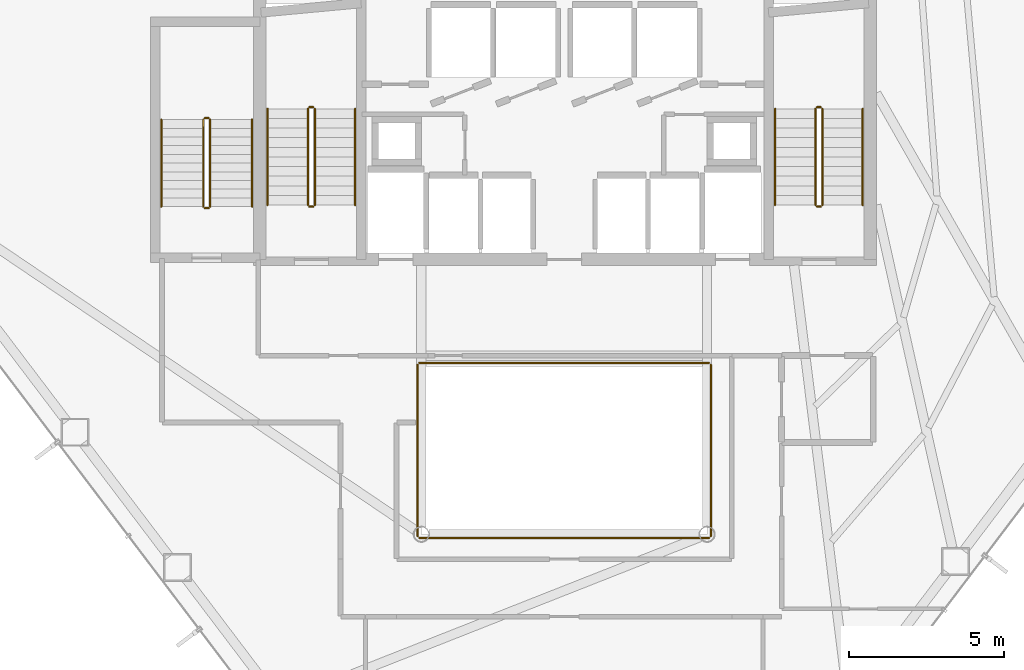
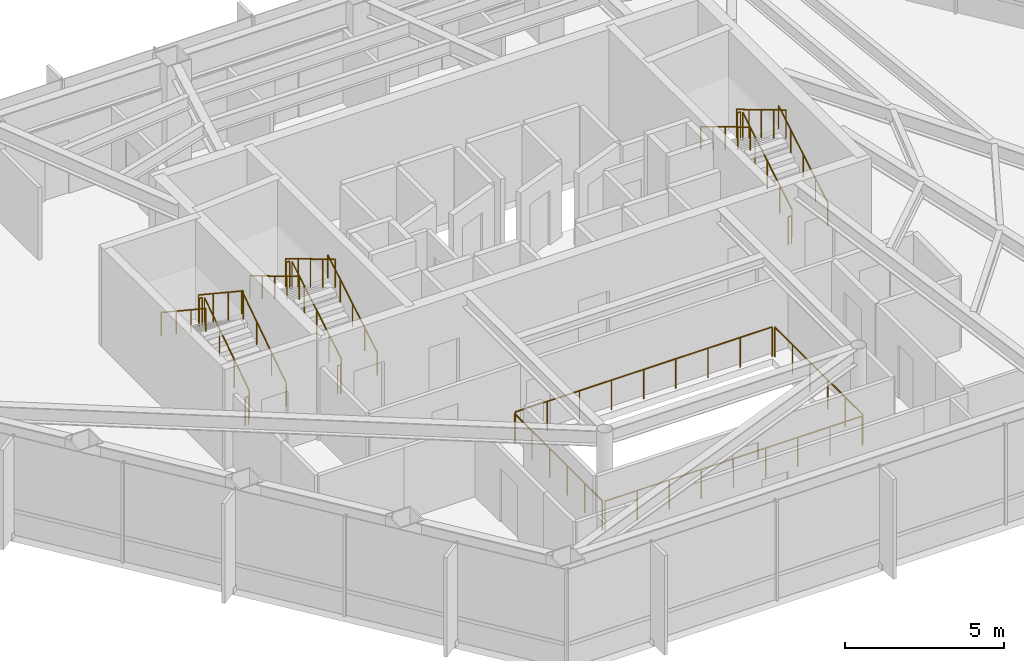
# One storey, part 24 of 24: 22 railings.
"""IFC4 building model written with IfcOpenShell, lengths in metres."""

from ifc_helpers import new_model, si_unit, direction, frame, origin, origin_2d, place, context, subcontext, project, spatial, circle, extrude, material, type_object, element, save


model = new_model("IFC4")

# Units and contexts
model_context = context("Model", 3, precision=1e-05, world=origin(), true_north=direction((0.0, 1.0)))
body_context = subcontext(model_context, "Body", "Model", "MODEL_VIEW")
ifc_project = project(units=[si_unit("LENGTHUNIT", "METRE"), si_unit("AREAUNIT", "SQUARE_METRE"), si_unit("VOLUMEUNIT", "CUBIC_METRE"), si_unit("PLANEANGLEUNIT", "RADIAN"), si_unit("MASSUNIT", "GRAM", prefix="KILO")], contexts=[model_context])

# Site, building, storey
site_placement = place(None, origin())
site = spatial("IfcSite", under=ifc_project, at=site_placement, CompositionType="ELEMENT")
building_placement = place(site_placement, origin())
building = spatial("IfcBuilding", under=site, at=building_placement, Name="Zarrinselat Tower", CompositionType="ELEMENT")
storey_placement = place(building_placement, frame((0.0, 0.0, 96.89990234375)))
storey = spatial("IfcBuildingStorey", under=building, at=storey_placement, Name="L23", CompositionType="ELEMENT", Elevation=96.89990234375)

# Railings
ifc_material_1 = material(Name="Double Low-E Laminated Solar Glass", Category="glass")
railing_type_1 = type_object("IfcRailingType", Name="RLG-ATRIUM-BAL", PredefinedType="BALUSTRADE", material=ifc_material_1)
railing_1_placement = place(storey_placement, frame((33.739990234375, 24.280029296875, 0.0)))
element("IfcRailing", 1, at=railing_1_placement, inside=storey, type_object=railing_type_1, Name="L23 Atrium Void Glass Balustrade S", PredefinedType="BALUSTRADE", context=body_context, shape_type="SweptSolid", body=[
    extrude(circle(Radius=0.02392578125, at=origin_2d()), frame((0.0, 0.0, 1.1259765625), z_axis=(1.0, 0.0, 0.0), x_axis=(0.0, 1.0, 0.0)), (0.0, 0.0, 1.0), 9.320068359375),
    extrude(circle(Radius=0.02099609375, at=origin_2d()), origin(), (0.0, 0.0, 1.0), 1.099853515625),
    extrude(circle(Radius=0.02099609375, at=origin_2d()), frame((1.1650390625, 0.0, 0.0)), (0.0, 0.0, 1.0), 1.099853515625),
    extrude(circle(Radius=0.02099609375, at=origin_2d()), frame((2.330078125, 0.0, 0.0)), (0.0, 0.0, 1.0), 1.099853515625),
    extrude(circle(Radius=0.02099609375, at=origin_2d()), frame((3.4951171875, 0.0, 0.0)), (0.0, 0.0, 1.0), 1.099853515625),
    extrude(circle(Radius=0.02099609375, at=origin_2d()), frame((4.66015625, 0.0, 0.0)), (0.0, 0.0, 1.0), 1.099853515625),
    extrude(circle(Radius=0.02099609375, at=origin_2d()), frame((5.824951171875, 0.0, 0.0)), (0.0, 0.0, 1.0), 1.099853515625),
    extrude(circle(Radius=0.02099609375, at=origin_2d()), frame((6.989990234375, 0.0, 0.0)), (0.0, 0.0, 1.0), 1.099853515625),
    extrude(circle(Radius=0.02099609375, at=origin_2d()), frame((8.155029296875, 0.0, 0.0)), (0.0, 0.0, 1.0), 1.099853515625),
    extrude(circle(Radius=0.02099609375, at=origin_2d()), frame((9.320068359375, 0.0, 0.0)), (0.0, 0.0, 1.0), 1.099853515625),
])
railing_2_placement = place(storey_placement, frame((43.1201171875, 24.340087890625, 0.0)))
element("IfcRailing", 2, at=railing_2_placement, inside=storey, type_object=railing_type_1, Name="L23 Atrium Void Glass Balustrade E", PredefinedType="BALUSTRADE", context=body_context, shape_type="SweptSolid", body=[
    extrude(circle(Radius=0.02392578125, at=origin_2d()), frame((0.0, 0.0, 1.1259765625), z_axis=(0.0, 1.0, 0.0), x_axis=(-1.0, 0.0, 0.0)), (0.0, 0.0, 1.0), 5.52001953125),
    extrude(circle(Radius=0.02099609375, at=origin_2d()), origin(), (0.0, 0.0, 1.0), 1.099853515625),
    extrude(circle(Radius=0.02099609375, at=origin_2d()), frame((0.0, 1.10400390625, 0.0)), (0.0, 0.0, 1.0), 1.099853515625),
    extrude(circle(Radius=0.02099609375, at=origin_2d()), frame((0.0, 2.2080078125, 0.0)), (0.0, 0.0, 1.0), 1.099853515625),
    extrude(circle(Radius=0.02099609375, at=origin_2d()), frame((0.0, 3.31201171875, 0.0)), (0.0, 0.0, 1.0), 1.099853515625),
    extrude(circle(Radius=0.02099609375, at=origin_2d()), frame((0.0, 4.416015625, 0.0)), (0.0, 0.0, 1.0), 1.099853515625),
    extrude(circle(Radius=0.02099609375, at=origin_2d()), frame((0.0, 5.52001953125, 0.0)), (0.0, 0.0, 1.0), 1.099853515625),
])
railing_3_placement = place(storey_placement, frame((43.06005859375, 29.919921875, 0.0)))
element("IfcRailing", 3, at=railing_3_placement, inside=storey, type_object=railing_type_1, Name="L23 Atrium Void Glass Balustrade N", PredefinedType="BALUSTRADE", context=body_context, shape_type="SweptSolid", body=[
    extrude(circle(Radius=0.02392578125, at=origin_2d()), frame((0.0, 0.0, 1.1259765625), z_axis=(-1.0, 0.0, 0.0), x_axis=(0.0, -1.0, 0.0)), (0.0, 0.0, 1.0), 9.320068359375),
    extrude(circle(Radius=0.02099609375, at=origin_2d()), origin(), (0.0, 0.0, 1.0), 1.099853515625),
    extrude(circle(Radius=0.02099609375, at=origin_2d()), frame((-1.1650390625, 0.0, 0.0)), (0.0, 0.0, 1.0), 1.099853515625),
    extrude(circle(Radius=0.02099609375, at=origin_2d()), frame((-2.330078125, 0.0, 0.0)), (0.0, 0.0, 1.0), 1.099853515625),
    extrude(circle(Radius=0.02099609375, at=origin_2d()), frame((-3.4951171875, 0.0, 0.0)), (0.0, 0.0, 1.0), 1.099853515625),
    extrude(circle(Radius=0.02099609375, at=origin_2d()), frame((-4.66015625, 0.0, 0.0)), (0.0, 0.0, 1.0), 1.099853515625),
    extrude(circle(Radius=0.02099609375, at=origin_2d()), frame((-5.824951171875, 0.0, 0.0)), (0.0, 0.0, 1.0), 1.099853515625),
    extrude(circle(Radius=0.02099609375, at=origin_2d()), frame((-6.989990234375, 0.0, 0.0)), (0.0, 0.0, 1.0), 1.099853515625),
    extrude(circle(Radius=0.02099609375, at=origin_2d()), frame((-8.155029296875, 0.0, 0.0)), (0.0, 0.0, 1.0), 1.099853515625),
    extrude(circle(Radius=0.02099609375, at=origin_2d()), frame((-9.320068359375, 0.0, 0.0)), (0.0, 0.0, 1.0), 1.099853515625),
])
railing_4_placement = place(storey_placement, frame((33.679931640625, 29.860107421875, 0.0)))
element("IfcRailing", 4, at=railing_4_placement, inside=storey, type_object=railing_type_1, Name="L23 Atrium Void Glass Balustrade W", PredefinedType="BALUSTRADE", context=body_context, shape_type="SweptSolid", body=[
    extrude(circle(Radius=0.02392578125, at=origin_2d()), frame((0.0, 0.0, 1.1259765625), z_axis=(0.0, -1.0, 0.0), x_axis=(1.0, 0.0, 0.0)), (0.0, 0.0, 1.0), 5.52001953125),
    extrude(circle(Radius=0.02099609375, at=origin_2d()), origin(), (0.0, 0.0, 1.0), 1.099853515625),
    extrude(circle(Radius=0.02099609375, at=origin_2d()), frame((0.0, -1.10400390625, 0.0)), (0.0, 0.0, 1.0), 1.099853515625),
    extrude(circle(Radius=0.02099609375, at=origin_2d()), frame((0.0, -2.2080078125, 0.0)), (0.0, 0.0, 1.0), 1.099853515625),
    extrude(circle(Radius=0.02099609375, at=origin_2d()), frame((0.0, -3.31201171875, 0.0)), (0.0, 0.0, 1.0), 1.099853515625),
    extrude(circle(Radius=0.02099609375, at=origin_2d()), frame((0.0, -4.416015625, 0.0)), (0.0, 0.0, 1.0), 1.099853515625),
    extrude(circle(Radius=0.02099609375, at=origin_2d()), frame((0.0, -5.52001953125, 0.0)), (0.0, 0.0, 1.0), 1.099853515625),
])
ifc_material_2 = material(Name="Steel S355J2", Category="steel")
railing_type_2 = type_object("IfcRailingType", Name="RLG-STAIR-GUARD", PredefinedType="GUARDRAIL", material=ifc_material_2)
railing_5_placement = place(storey_placement, frame((30.3701171875, 35.0, 0.185546875)))
element("IfcRailing", 5, at=railing_5_placement, inside=storey, type_object=railing_type_2, Name="L23 ST-1 stair guard 1", PredefinedType="GUARDRAIL", context=body_context, shape_type="SweptSolid", body=[
    extrude(circle(Radius=0.02392578125, at=origin_2d()), frame((0.0, 0.0, 1.076171875), z_axis=(0.0, 0.858171985069, 0.513362293163), x_axis=(-1.0, 0.0, 0.0)), (0.0, 0.0, 1.0), 3.612548828125),
    extrude(circle(Radius=0.02099609375, at=origin_2d()), origin(), (0.0, 0.0, 1.0), 1.050048828125),
    extrude(circle(Radius=0.02099609375, at=origin_2d()), frame((0.0, 0.77490234375, 0.463623046875)), (0.0, 0.0, 1.0), 1.050048828125),
    extrude(circle(Radius=0.02099609375, at=origin_2d()), frame((0.0, 1.550048828125, 0.92724609375)), (0.0, 0.0, 1.0), 1.050048828125),
    extrude(circle(Radius=0.02099609375, at=origin_2d()), frame((0.0, 2.3251953125, 1.390869140625)), (0.0, 0.0, 1.0), 1.050048828125),
    extrude(circle(Radius=0.02099609375, at=origin_2d()), frame((0.0, 3.10009765625, 1.8544921875)), (0.0, 0.0, 1.0), 1.050048828125),
])
railing_6_placement = place(storey_placement, frame((30.320068359375, 38.14990234375, 2.0400390625)))
element("IfcRailing", 6, at=railing_6_placement, inside=storey, type_object=railing_type_2, Name="L23 ST-1 stair guard 2", PredefinedType="GUARDRAIL", context=body_context, shape_type="SweptSolid", body=[
    extrude(circle(Radius=0.02392578125, at=origin_2d()), frame((0.0, 0.0, 1.076171875), z_axis=(-1.0, 0.0, 0.0), x_axis=(0.0, -1.0, 0.0)), (0.0, 0.0, 1.0), 0.1201171875),
    extrude(circle(Radius=0.02099609375, at=origin_2d()), origin(), (0.0, 0.0, 1.0), 1.050048828125),
    extrude(circle(Radius=0.02099609375, at=origin_2d()), frame((-0.1201171875, 0.0, 0.0)), (0.0, 0.0, 1.0), 1.050048828125),
])
railing_7_placement = place(storey_placement, frame((30.14990234375, 38.10009765625, 2.2255859375)))
element("IfcRailing", 7, at=railing_7_placement, inside=storey, type_object=railing_type_2, Name="L23 ST-1 stair guard 3", PredefinedType="GUARDRAIL", context=body_context, shape_type="SweptSolid", body=[
    extrude(circle(Radius=0.02392578125, at=origin_2d()), frame((0.0, 0.0, 1.076171875), z_axis=(0.0, -0.858171985069, 0.513362293163), x_axis=(1.0, 0.0, 0.0)), (0.0, 0.0, 1.0), 3.612548828125),
    extrude(circle(Radius=0.02099609375, at=origin_2d()), origin(), (0.0, 0.0, 1.0), 1.050048828125),
    extrude(circle(Radius=0.02099609375, at=origin_2d()), frame((0.0, -0.77490234375, 0.463623046875)), (0.0, 0.0, 1.0), 1.050048828125),
    extrude(circle(Radius=0.02099609375, at=origin_2d()), frame((0.0, -1.550048828125, 0.92724609375)), (0.0, 0.0, 1.0), 1.050048828125),
    extrude(circle(Radius=0.02099609375, at=origin_2d()), frame((0.0, -2.3251953125, 1.390869140625)), (0.0, 0.0, 1.0), 1.050048828125),
    extrude(circle(Radius=0.02099609375, at=origin_2d()), frame((0.0, -3.10009765625, 1.8544921875)), (0.0, 0.0, 1.0), 1.050048828125),
])
railing_8_placement = place(storey_placement, frame((30.320068359375, 34.949951171875, 0.0)))
element("IfcRailing", 8, at=railing_8_placement, inside=storey, type_object=railing_type_2, Name="L23 ST-1 stair guard 4", PredefinedType="GUARDRAIL", context=body_context, shape_type="SweptSolid", body=[
    extrude(circle(Radius=0.02392578125, at=origin_2d()), frame((0.0, 0.0, 1.076171875), z_axis=(-1.0, 0.0, 0.0), x_axis=(0.0, -1.0, 0.0)), (0.0, 0.0, 1.0), 0.1201171875),
    extrude(circle(Radius=0.02099609375, at=origin_2d()), origin(), (0.0, 0.0, 1.0), 1.050048828125),
    extrude(circle(Radius=0.02099609375, at=origin_2d()), frame((-0.1201171875, 0.0, 0.0)), (0.0, 0.0, 1.0), 1.050048828125),
])
railing_9_placement = place(storey_placement, frame((46.7099609375, 35.0, 0.185546875)))
element("IfcRailing", 9, at=railing_9_placement, inside=storey, type_object=railing_type_2, Name="L23 ST-2 stair guard 1", PredefinedType="GUARDRAIL", context=body_context, shape_type="SweptSolid", body=[
    extrude(circle(Radius=0.02392578125, at=origin_2d()), frame((0.0, 0.0, 1.076171875), z_axis=(0.0, 0.858171985069, 0.513362293163), x_axis=(-1.0, 0.0, 0.0)), (0.0, 0.0, 1.0), 3.612548828125),
    extrude(circle(Radius=0.02099609375, at=origin_2d()), origin(), (0.0, 0.0, 1.0), 1.050048828125),
    extrude(circle(Radius=0.02099609375, at=origin_2d()), frame((0.0, 0.77490234375, 0.463623046875)), (0.0, 0.0, 1.0), 1.050048828125),
    extrude(circle(Radius=0.02099609375, at=origin_2d()), frame((0.0, 1.550048828125, 0.92724609375)), (0.0, 0.0, 1.0), 1.050048828125),
    extrude(circle(Radius=0.02099609375, at=origin_2d()), frame((0.0, 2.3251953125, 1.390869140625)), (0.0, 0.0, 1.0), 1.050048828125),
    extrude(circle(Radius=0.02099609375, at=origin_2d()), frame((0.0, 3.10009765625, 1.8544921875)), (0.0, 0.0, 1.0), 1.050048828125),
])
railing_10_placement = place(storey_placement, frame((46.659912109375, 38.14990234375, 2.0400390625)))
element("IfcRailing", 10, at=railing_10_placement, inside=storey, type_object=railing_type_2, Name="L23 ST-2 stair guard 2", PredefinedType="GUARDRAIL", context=body_context, shape_type="SweptSolid", body=[
    extrude(circle(Radius=0.02392578125, at=origin_2d()), frame((0.0, 0.0, 1.076171875), z_axis=(-1.0, 0.0, 0.0), x_axis=(0.0, -1.0, 0.0)), (0.0, 0.0, 1.0), 0.119873046875),
    extrude(circle(Radius=0.02099609375, at=origin_2d()), origin(), (0.0, 0.0, 1.0), 1.050048828125),
    extrude(circle(Radius=0.02099609375, at=origin_2d()), frame((-0.119873046875, 0.0, 0.0)), (0.0, 0.0, 1.0), 1.050048828125),
])
railing_11_placement = place(storey_placement, frame((46.489990234375, 38.10009765625, 2.2255859375)))
element("IfcRailing", 11, at=railing_11_placement, inside=storey, type_object=railing_type_2, Name="L23 ST-2 stair guard 3", PredefinedType="GUARDRAIL", context=body_context, shape_type="SweptSolid", body=[
    extrude(circle(Radius=0.02392578125, at=origin_2d()), frame((0.0, 0.0, 1.076171875), z_axis=(0.0, -0.858171985069, 0.513362293163), x_axis=(1.0, 0.0, 0.0)), (0.0, 0.0, 1.0), 3.612548828125),
    extrude(circle(Radius=0.02099609375, at=origin_2d()), origin(), (0.0, 0.0, 1.0), 1.050048828125),
    extrude(circle(Radius=0.02099609375, at=origin_2d()), frame((0.0, -0.77490234375, 0.463623046875)), (0.0, 0.0, 1.0), 1.050048828125),
    extrude(circle(Radius=0.02099609375, at=origin_2d()), frame((0.0, -1.550048828125, 0.92724609375)), (0.0, 0.0, 1.0), 1.050048828125),
    extrude(circle(Radius=0.02099609375, at=origin_2d()), frame((0.0, -2.3251953125, 1.390869140625)), (0.0, 0.0, 1.0), 1.050048828125),
    extrude(circle(Radius=0.02099609375, at=origin_2d()), frame((0.0, -3.10009765625, 1.8544921875)), (0.0, 0.0, 1.0), 1.050048828125),
])
railing_12_placement = place(storey_placement, frame((46.659912109375, 34.949951171875, 0.0)))
element("IfcRailing", 12, at=railing_12_placement, inside=storey, type_object=railing_type_2, Name="L23 ST-2 stair guard 4", PredefinedType="GUARDRAIL", context=body_context, shape_type="SweptSolid", body=[
    extrude(circle(Radius=0.02392578125, at=origin_2d()), frame((0.0, 0.0, 1.076171875), z_axis=(-1.0, 0.0, 0.0), x_axis=(0.0, -1.0, 0.0)), (0.0, 0.0, 1.0), 0.119873046875),
    extrude(circle(Radius=0.02099609375, at=origin_2d()), origin(), (0.0, 0.0, 1.0), 1.050048828125),
    extrude(circle(Radius=0.02099609375, at=origin_2d()), frame((-0.119873046875, 0.0, 0.0)), (0.0, 0.0, 1.0), 1.050048828125),
])
railing_13_placement = place(storey_placement, frame((27.0, 34.949951171875, 0.185546875)))
element("IfcRailing", 13, at=railing_13_placement, inside=storey, type_object=railing_type_2, Name="L23 ST-3 stair guard 1", PredefinedType="GUARDRAIL", context=body_context, shape_type="SweptSolid", body=[
    extrude(circle(Radius=0.02392578125, at=origin_2d()), frame((0.0, 0.0, 1.076171875), z_axis=(0.0, 0.833724036255, 0.552181339209), x_axis=(-1.0, 0.0, 0.0)), (0.0, 0.0, 1.0), 3.3583984375),
    extrude(circle(Radius=0.02099609375, at=origin_2d()), origin(), (0.0, 0.0, 1.0), 1.050048828125),
    extrude(circle(Radius=0.02099609375, at=origin_2d()), frame((0.0, 0.933349609375, 0.6181640625)), (0.0, 0.0, 1.0), 1.050048828125),
    extrude(circle(Radius=0.02099609375, at=origin_2d()), frame((0.0, 1.86669921875, 1.236328125)), (0.0, 0.0, 1.0), 1.050048828125),
    extrude(circle(Radius=0.02099609375, at=origin_2d()), frame((0.0, 2.800048828125, 1.8544921875)), (0.0, 0.0, 1.0), 1.050048828125),
])
railing_14_placement = place(storey_placement, frame((26.949951171875, 37.800048828125, 2.0400390625)))
element("IfcRailing", 14, at=railing_14_placement, inside=storey, type_object=railing_type_2, Name="L23 ST-3 stair guard 2", PredefinedType="GUARDRAIL", context=body_context, shape_type="SweptSolid", body=[
    extrude(circle(Radius=0.02392578125, at=origin_2d()), frame((0.0, 0.0, 1.076171875), z_axis=(-1.0, 0.0, 0.0), x_axis=(0.0, -1.0, 0.0)), (0.0, 0.0, 1.0), 0.119873046875),
    extrude(circle(Radius=0.02099609375, at=origin_2d()), origin(), (0.0, 0.0, 1.0), 1.050048828125),
    extrude(circle(Radius=0.02099609375, at=origin_2d()), frame((-0.119873046875, 0.0, 0.0)), (0.0, 0.0, 1.0), 1.050048828125),
])
railing_15_placement = place(storey_placement, frame((26.780029296875, 37.75, 2.2255859375)))
element("IfcRailing", 15, at=railing_15_placement, inside=storey, type_object=railing_type_2, Name="L23 ST-3 stair guard 3", PredefinedType="GUARDRAIL", context=body_context, shape_type="SweptSolid", body=[
    extrude(circle(Radius=0.02392578125, at=origin_2d()), frame((0.0, 0.0, 1.076171875), z_axis=(0.0, -0.833724036255, 0.552181339209), x_axis=(1.0, 0.0, 0.0)), (0.0, 0.0, 1.0), 3.3583984375),
    extrude(circle(Radius=0.02099609375, at=origin_2d()), origin(), (0.0, 0.0, 1.0), 1.050048828125),
    extrude(circle(Radius=0.02099609375, at=origin_2d()), frame((0.0, -0.933349609375, 0.6181640625)), (0.0, 0.0, 1.0), 1.050048828125),
    extrude(circle(Radius=0.02099609375, at=origin_2d()), frame((0.0, -1.86669921875, 1.236328125)), (0.0, 0.0, 1.0), 1.050048828125),
    extrude(circle(Radius=0.02099609375, at=origin_2d()), frame((0.0, -2.800048828125, 1.8544921875)), (0.0, 0.0, 1.0), 1.050048828125),
])
railing_16_placement = place(storey_placement, frame((26.949951171875, 34.89990234375, 0.0)))
element("IfcRailing", 16, at=railing_16_placement, inside=storey, type_object=railing_type_2, Name="L23 ST-3 stair guard 4", PredefinedType="GUARDRAIL", context=body_context, shape_type="SweptSolid", body=[
    extrude(circle(Radius=0.02392578125, at=origin_2d()), frame((0.0, 0.0, 1.076171875), z_axis=(-1.0, 0.0, 0.0), x_axis=(0.0, -1.0, 0.0)), (0.0, 0.0, 1.0), 0.119873046875),
    extrude(circle(Radius=0.02099609375, at=origin_2d()), origin(), (0.0, 0.0, 1.0), 1.050048828125),
    extrude(circle(Radius=0.02099609375, at=origin_2d()), frame((-0.119873046875, 0.0, 0.0)), (0.0, 0.0, 1.0), 1.050048828125),
])
ifc_material_3 = material(Name="Steel S355J2", Category="steel")
railing_type_3 = type_object("IfcRailingType", Name="RLG-STAIR-HAND", PredefinedType="HANDRAIL", material=ifc_material_3)
railing_17_placement = place(storey_placement, frame((31.669921875, 35.0, 0.185546875)))
element("IfcRailing", 17, at=railing_17_placement, inside=storey, type_object=railing_type_3, Name="L23 ST-1 stair handrail 1", PredefinedType="HANDRAIL", context=body_context, shape_type="SweptSolid", body=[
    extrude(circle(Radius=0.02392578125, at=origin_2d()), frame((0.0, 0.0, 0.8759765625), z_axis=(0.0, 0.858171985069, 0.513362293163), x_axis=(-1.0, 0.0, 0.0)), (0.0, 0.0, 1.0), 3.612548828125),
    extrude(circle(Radius=0.02099609375, at=origin_2d()), origin(), (0.0, 0.0, 1.0), 0.849853515625),
    extrude(circle(Radius=0.02099609375, at=origin_2d()), frame((0.0, 0.77490234375, 0.463623046875)), (0.0, 0.0, 1.0), 0.849853515625),
    extrude(circle(Radius=0.02099609375, at=origin_2d()), frame((0.0, 1.550048828125, 0.92724609375)), (0.0, 0.0, 1.0), 0.849853515625),
    extrude(circle(Radius=0.02099609375, at=origin_2d()), frame((0.0, 2.3251953125, 1.390869140625)), (0.0, 0.0, 1.0), 0.849853515625),
    extrude(circle(Radius=0.02099609375, at=origin_2d()), frame((0.0, 3.10009765625, 1.8544921875)), (0.0, 0.0, 1.0), 0.849853515625),
])
railing_18_placement = place(storey_placement, frame((28.85009765625, 38.10009765625, 2.2255859375)))
element("IfcRailing", 18, at=railing_18_placement, inside=storey, type_object=railing_type_3, Name="L23 ST-1 stair handrail 2", PredefinedType="HANDRAIL", context=body_context, shape_type="SweptSolid", body=[
    extrude(circle(Radius=0.02392578125, at=origin_2d()), frame((0.0, 0.0, 0.8759765625), z_axis=(0.0, -0.858171985069, 0.513362293163), x_axis=(1.0, 0.0, 0.0)), (0.0, 0.0, 1.0), 3.612548828125),
    extrude(circle(Radius=0.02099609375, at=origin_2d()), origin(), (0.0, 0.0, 1.0), 0.849853515625),
    extrude(circle(Radius=0.02099609375, at=origin_2d()), frame((0.0, -0.77490234375, 0.463623046875)), (0.0, 0.0, 1.0), 0.849853515625),
    extrude(circle(Radius=0.02099609375, at=origin_2d()), frame((0.0, -1.550048828125, 0.92724609375)), (0.0, 0.0, 1.0), 0.849853515625),
    extrude(circle(Radius=0.02099609375, at=origin_2d()), frame((0.0, -2.3251953125, 1.390869140625)), (0.0, 0.0, 1.0), 0.849853515625),
    extrude(circle(Radius=0.02099609375, at=origin_2d()), frame((0.0, -3.10009765625, 1.8544921875)), (0.0, 0.0, 1.0), 0.849853515625),
])
railing_19_placement = place(storey_placement, frame((48.010009765625, 35.0, 0.185546875)))
element("IfcRailing", 19, at=railing_19_placement, inside=storey, type_object=railing_type_3, Name="L23 ST-2 stair handrail 1", PredefinedType="HANDRAIL", context=body_context, shape_type="SweptSolid", body=[
    extrude(circle(Radius=0.02392578125, at=origin_2d()), frame((0.0, 0.0, 0.8759765625), z_axis=(0.0, 0.858171985069, 0.513362293163), x_axis=(-1.0, 0.0, 0.0)), (0.0, 0.0, 1.0), 3.612548828125),
    extrude(circle(Radius=0.02099609375, at=origin_2d()), origin(), (0.0, 0.0, 1.0), 0.849853515625),
    extrude(circle(Radius=0.02099609375, at=origin_2d()), frame((0.0, 0.77490234375, 0.463623046875)), (0.0, 0.0, 1.0), 0.849853515625),
    extrude(circle(Radius=0.02099609375, at=origin_2d()), frame((0.0, 1.550048828125, 0.92724609375)), (0.0, 0.0, 1.0), 0.849853515625),
    extrude(circle(Radius=0.02099609375, at=origin_2d()), frame((0.0, 2.3251953125, 1.390869140625)), (0.0, 0.0, 1.0), 0.849853515625),
    extrude(circle(Radius=0.02099609375, at=origin_2d()), frame((0.0, 3.10009765625, 1.8544921875)), (0.0, 0.0, 1.0), 0.849853515625),
])
railing_20_placement = place(storey_placement, frame((45.18994140625, 38.10009765625, 2.2255859375)))
element("IfcRailing", 20, at=railing_20_placement, inside=storey, type_object=railing_type_3, Name="L23 ST-2 stair handrail 2", PredefinedType="HANDRAIL", context=body_context, shape_type="SweptSolid", body=[
    extrude(circle(Radius=0.02392578125, at=origin_2d()), frame((0.0, 0.0, 0.8759765625), z_axis=(0.0, -0.858171985069, 0.513362293163), x_axis=(1.0, 0.0, 0.0)), (0.0, 0.0, 1.0), 3.612548828125),
    extrude(circle(Radius=0.02099609375, at=origin_2d()), origin(), (0.0, 0.0, 1.0), 0.849853515625),
    extrude(circle(Radius=0.02099609375, at=origin_2d()), frame((0.0, -0.77490234375, 0.463623046875)), (0.0, 0.0, 1.0), 0.849853515625),
    extrude(circle(Radius=0.02099609375, at=origin_2d()), frame((0.0, -1.550048828125, 0.92724609375)), (0.0, 0.0, 1.0), 0.849853515625),
    extrude(circle(Radius=0.02099609375, at=origin_2d()), frame((0.0, -2.3251953125, 1.390869140625)), (0.0, 0.0, 1.0), 0.849853515625),
    extrude(circle(Radius=0.02099609375, at=origin_2d()), frame((0.0, -3.10009765625, 1.8544921875)), (0.0, 0.0, 1.0), 0.849853515625),
])
railing_21_placement = place(storey_placement, frame((28.35009765625, 34.949951171875, 0.185546875)))
element("IfcRailing", 21, at=railing_21_placement, inside=storey, type_object=railing_type_3, Name="L23 ST-3 stair handrail 1", PredefinedType="HANDRAIL", context=body_context, shape_type="SweptSolid", body=[
    extrude(circle(Radius=0.02392578125, at=origin_2d()), frame((0.0, 0.0, 0.8759765625), z_axis=(0.0, 0.833724036255, 0.552181339209), x_axis=(-1.0, 0.0, 0.0)), (0.0, 0.0, 1.0), 3.3583984375),
    extrude(circle(Radius=0.02099609375, at=origin_2d()), origin(), (0.0, 0.0, 1.0), 0.849853515625),
    extrude(circle(Radius=0.02099609375, at=origin_2d()), frame((0.0, 0.933349609375, 0.6181640625)), (0.0, 0.0, 1.0), 0.849853515625),
    extrude(circle(Radius=0.02099609375, at=origin_2d()), frame((0.0, 1.86669921875, 1.236328125)), (0.0, 0.0, 1.0), 0.849853515625),
    extrude(circle(Radius=0.02099609375, at=origin_2d()), frame((0.0, 2.800048828125, 1.8544921875)), (0.0, 0.0, 1.0), 0.849853515625),
])
railing_22_placement = place(storey_placement, frame((25.429931640625, 37.75, 2.2255859375)))
element("IfcRailing", 22, at=railing_22_placement, inside=storey, type_object=railing_type_3, Name="L23 ST-3 stair handrail 2", PredefinedType="HANDRAIL", context=body_context, shape_type="SweptSolid", body=[
    extrude(circle(Radius=0.02392578125, at=origin_2d()), frame((0.0, 0.0, 0.8759765625), z_axis=(0.0, -0.833724036255, 0.552181339209), x_axis=(1.0, 0.0, 0.0)), (0.0, 0.0, 1.0), 3.3583984375),
    extrude(circle(Radius=0.02099609375, at=origin_2d()), origin(), (0.0, 0.0, 1.0), 0.849853515625),
    extrude(circle(Radius=0.02099609375, at=origin_2d()), frame((0.0, -0.933349609375, 0.6181640625)), (0.0, 0.0, 1.0), 0.849853515625),
    extrude(circle(Radius=0.02099609375, at=origin_2d()), frame((0.0, -1.86669921875, 1.236328125)), (0.0, 0.0, 1.0), 0.849853515625),
    extrude(circle(Radius=0.02099609375, at=origin_2d()), frame((0.0, -2.800048828125, 1.8544921875)), (0.0, 0.0, 1.0), 0.849853515625),
])

save(model, "model.ifc")
